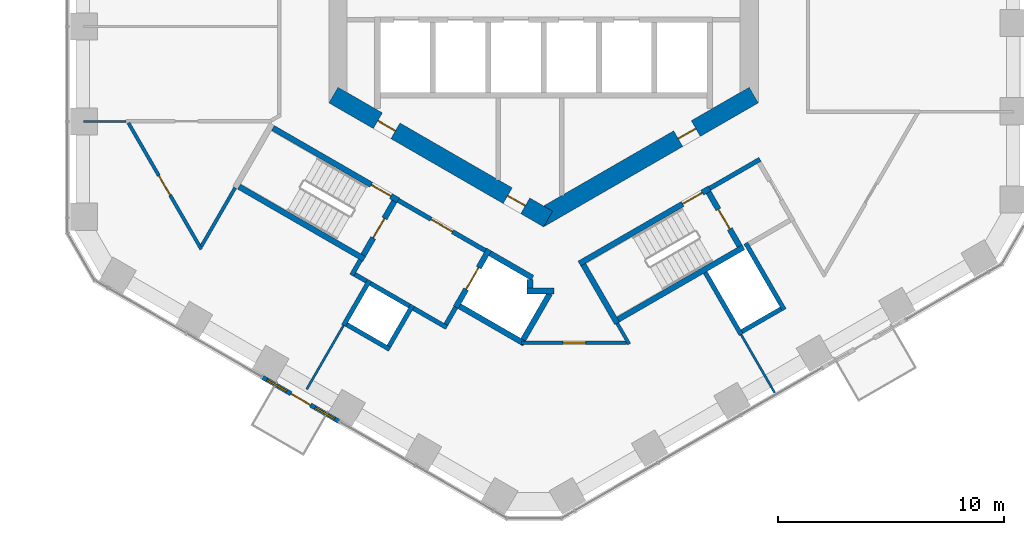
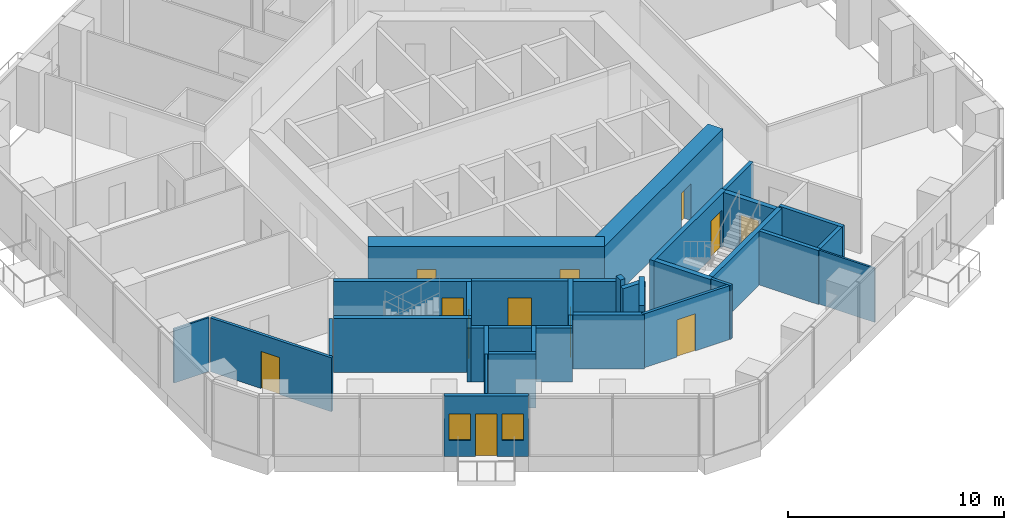
# One storey, part 13 of 20: 36 walls, 12 doors, 2 windows, 14 openings.
"""IFC4 building model written with IfcOpenShell, lengths in metres."""

from ifc_helpers import new_model, si_unit, direction, frame, frame_2d, origin, place, context, subcontext, project, spatial, rectangle, extrude, material, layer, layer_set, type_object, element, fill, save


model = new_model("IFC4")

# Units and contexts
model_context = context("Model", 3, precision=1e-05, world=origin(), true_north=direction((0.0, 1.0)))
body_context = subcontext(model_context, "Body", "Model", "MODEL_VIEW")
ifc_project = project(units=[si_unit("LENGTHUNIT", "METRE"), si_unit("AREAUNIT", "SQUARE_METRE"), si_unit("VOLUMEUNIT", "CUBIC_METRE"), si_unit("PLANEANGLEUNIT", "RADIAN"), si_unit("MASSUNIT", "GRAM", prefix="KILO")], contexts=[model_context])

# Site, building, storey
site_placement = place(None, origin())
site = spatial("IfcSite", under=ifc_project, at=site_placement, CompositionType="ELEMENT")
building_placement = place(site_placement, origin())
building = spatial("IfcBuilding", under=site, at=building_placement, Name="Ayvan Gate Tower", CompositionType="ELEMENT")
storey_placement = place(building_placement, frame((0.0, 0.0, 49.300048828125)))
storey = spatial("IfcBuildingStorey", under=building, at=storey_placement, Name="L12", CompositionType="ELEMENT", Elevation=49.300048828125)

# Wall, openings, door, windows
ifc_material_1 = material(Name="Insulated metal panel wall")
ifc_layer_1 = layer(ifc_material_1, 0.199951171875)
ifc_layer_set_1 = layer_set([ifc_layer_1], Name="Insulated metal panel wall")
wall_type_1 = type_object("IfcWallType", Name="Balcony door wall 200", PredefinedType="SOLIDWALL", material=ifc_layer_set_1)
wall_1_placement = place(storey_placement, frame((-12.431396484375, -17.631103515625, 0.0), z_axis=(0.0, 0.0, 1.0), x_axis=(0.86603551244, -0.499982490886, 0.0)))
wall_1 = element("IfcWall", 1, at=wall_1_placement, inside=storey, type_object=wall_type_1, Name="EW:L12:4:2", PredefinedType="SOLIDWALL", context=body_context, shape_type="SweptSolid", body=[
    extrude(rectangle(XDim=3.901123046875, YDim=0.199951171875, at=frame_2d((1.95068359375, 0.0))), origin(), (0.0, 0.0, 1.0), 3.39990234375),
])
opening_1_placement = place(wall_1_placement, frame((1.450439453125, 0.0, 0.0)))
opening_1 = element("IfcOpeningElement", 2, at=opening_1_placement, cuts=wall_1, Name="Opening L12-D94", PredefinedType="OPENING", context=body_context, shape_type="SweptSolid", body=[
    extrude(rectangle(XDim=1.0, YDim=2.39990234375, at=frame_2d((0.5, 1.199951171875))), frame((0.0, 0.10986328125, 0.0), z_axis=(0.0, -1.0, 0.0), x_axis=(1.0, 0.0, 0.0)), (0.0, 0.0, 1.0), 0.219970703125),
])
opening_2_placement = place(wall_1_placement, frame((0.225341796875, 0.0, 0.89990234375)))
opening_2 = element("IfcOpeningElement", 3, at=opening_2_placement, cuts=wall_1, Name="Opening W-B1", PredefinedType="OPENING", context=body_context, shape_type="SweptSolid", body=[
    extrude(rectangle(XDim=1.0, YDim=1.5, at=frame_2d((0.5, 0.75))), frame((0.0, 0.10986328125, 0.0), z_axis=(0.0, -1.0, 0.0), x_axis=(1.0, 0.0, 0.0)), (0.0, 0.0, 1.0), 0.219970703125),
])
opening_3_placement = place(wall_1_placement, frame((2.67578125, 0.0, 0.89990234375)))
opening_3 = element("IfcOpeningElement", 4, at=opening_3_placement, cuts=wall_1, Name="Opening W-B1", PredefinedType="OPENING", context=body_context, shape_type="SweptSolid", body=[
    extrude(rectangle(XDim=1.0, YDim=1.5, at=frame_2d((0.5, 0.75))), frame((0.0, 0.10986328125, 0.0), z_axis=(0.0, -1.0, 0.0), x_axis=(1.0, 0.0, 0.0)), (0.0, 0.0, 1.0), 0.219970703125),
])
ifc_material_2 = material(Name="Bronze anodised aluminium and clear glass", Category="aluminium")
door_type_1 = type_object("IfcDoorType", Name="Balcony door D-B", OperationType="SINGLE_SWING_RIGHT", PredefinedType="DOOR", material=ifc_material_2)
door_1_placement = place(opening_1_placement, origin())
door_1 = element("IfcDoor", 5, at=door_1_placement, inside=storey, type_object=door_type_1, Name="Balcony door BAL-L12-4", OperationType="SINGLE_SWING_RIGHT", OverallHeight=2.39990234375, OverallWidth=1.0, PredefinedType="DOOR", context=body_context, shape_type="SweptSolid", body=[
    extrude(rectangle(XDim=1.0, YDim=2.39990234375, at=frame_2d((0.5, 1.199951171875))), frame((0.0, 0.02490234375, 0.0), z_axis=(0.0, -1.0, 0.0), x_axis=(1.0, 0.0, 0.0)), (0.0, 0.0, 1.0), 0.050048828125),
])
fill(opening_1, door_1)
window_type = type_object("IfcWindowType", Name="Balcony side light W-B Z1", PartitioningType="SINGLE_PANEL", PredefinedType="WINDOW", material=ifc_material_2)
window_1_placement = place(opening_2_placement, origin())
window_1 = element("IfcWindow", 6, at=window_1_placement, inside=storey, type_object=window_type, Name="Balcony side light BAL-L12-4.1", OverallHeight=1.5, OverallWidth=1.0, PartitioningType="SINGLE_PANEL", PredefinedType="WINDOW", context=body_context, shape_type="SweptSolid", body=[
    extrude(rectangle(XDim=1.0, YDim=1.5, at=frame_2d((0.5, 0.75))), frame((0.0, 0.030029296875, 0.0), z_axis=(0.0, -1.0, 0.0), x_axis=(1.0, 0.0, 0.0)), (0.0, 0.0, 1.0), 0.06005859375),
])
fill(opening_2, window_1)
window_2_placement = place(opening_3_placement, origin())
window_2 = element("IfcWindow", 7, at=window_2_placement, inside=storey, type_object=window_type, Name="Balcony side light BAL-L12-4.2", OverallHeight=1.5, OverallWidth=1.0, PartitioningType="SINGLE_PANEL", PredefinedType="WINDOW", context=body_context, shape_type="SweptSolid", body=[
    extrude(rectangle(XDim=1.0, YDim=1.5, at=frame_2d((0.5, 0.75))), frame((0.0, 0.030029296875, 0.0), z_axis=(0.0, -1.0, 0.0), x_axis=(1.0, 0.0, 0.0)), (0.0, 0.0, 1.0), 0.06005859375),
])
fill(opening_3, window_2)

# Wall, openings, doors
ifc_material_3 = material(Name="Concrete C70/85", Category="concrete")
ifc_layer_2 = layer(ifc_material_3, 0.800048828125)
ifc_layer_set_2 = layer_set([ifc_layer_2], Name="Concrete C70/85")
wall_type_2 = type_object("IfcWallType", Name="Core wall 800 C70/85", PredefinedType="SHEAR", material=ifc_layer_set_2)
wall_2_placement = place(storey_placement, frame((-9.300048828125, -5.138427734375, 0.0), z_axis=(0.0, 0.0, 1.0), x_axis=(0.866023993627, -0.500002442456, 0.0)))
wall_2 = element("IfcWall", 8, at=wall_2_placement, inside=storey, type_object=wall_type_2, Name="CORE-L12-4", PredefinedType="SHEAR", context=body_context, shape_type="SweptSolid", body=[
    extrude(rectangle(XDim=10.9697265625, YDim=0.800048828125, at=frame_2d((5.48486328125, 0.0))), origin(), (0.0, 0.0, 1.0), 3.39990234375),
])
opening_4_placement = place(wall_2_placement, frame((2.268310546875, 0.0, 0.0)))
opening_4 = element("IfcOpeningElement", 9, at=opening_4_placement, cuts=wall_2, Name="Opening L12-D100", PredefinedType="OPENING", context=body_context, shape_type="SweptSolid", body=[
    extrude(rectangle(XDim=0.89990234375, YDim=2.10009765625, at=frame_2d((0.449951171875, 1.050048828125))), frame((0.0, 0.409912109375, 0.0), z_axis=(0.0, -1.0, 0.0), x_axis=(1.0, 0.0, 0.0)), (0.0, 0.0, 1.0), 0.820068359375),
])
opening_5_placement = place(wall_2_placement, frame((8.902587890625, 0.0, 0.0)))
opening_5 = element("IfcOpeningElement", 10, at=opening_5_placement, cuts=wall_2, Name="Opening L12-D101", PredefinedType="OPENING", context=body_context, shape_type="SweptSolid", body=[
    extrude(rectangle(XDim=0.89990234375, YDim=2.10009765625, at=frame_2d((0.449951171875, 1.050048828125))), frame((0.0, 0.409912109375, 0.0), z_axis=(0.0, -1.0, 0.0), x_axis=(1.0, 0.0, 0.0)), (0.0, 0.0, 1.0), 0.820068359375),
])
ifc_material_4 = material(Name="Timber door leaf", Category="wood")
door_type_2 = type_object("IfcDoorType", Name="DT-900", OperationType="NOTDEFINED", PredefinedType="DOOR", material=ifc_material_4)
door_2_placement = place(opening_4_placement, origin())
door_2 = element("IfcDoor", 11, at=door_2_placement, inside=storey, type_object=door_type_2, Name="CD-L12-100", OperationType="SINGLE_SWING_RIGHT", OverallHeight=2.10009765625, OverallWidth=0.89990234375, PredefinedType="DOOR", context=body_context, shape_type="SweptSolid", body=[
    extrude(rectangle(XDim=0.89990234375, YDim=2.10009765625, at=frame_2d((0.449951171875, 1.050048828125))), frame((0.0, 0.02490234375, 0.0), z_axis=(0.0, -1.0, 0.0), x_axis=(1.0, 0.0, 0.0)), (0.0, 0.0, 1.0), 0.050048828125),
])
fill(opening_4, door_2)
door_3_placement = place(opening_5_placement, origin())
door_3 = element("IfcDoor", 12, at=door_3_placement, inside=storey, type_object=door_type_2, Name="CD-L12-101", OperationType="SINGLE_SWING_LEFT", OverallHeight=2.10009765625, OverallWidth=0.89990234375, PredefinedType="DOOR", context=body_context, shape_type="SweptSolid", body=[
    extrude(rectangle(XDim=0.89990234375, YDim=2.10009765625, at=frame_2d((0.449951171875, 1.050048828125))), frame((0.0, 0.02490234375, 0.0), z_axis=(0.0, -1.0, 0.0), x_axis=(1.0, 0.0, 0.0)), (0.0, 0.0, 1.0), 0.050048828125),
])
fill(opening_5, door_3)

# Wall, opening, door
wall_3_placement = place(storey_placement, frame((-0.199951171875, -10.623291015625, 0.0), z_axis=(0.0, 0.0, 1.0), x_axis=(0.866023993627, 0.500002442456, 0.0)))
wall_3 = element("IfcWall", 13, at=wall_3_placement, inside=storey, type_object=wall_type_2, Name="CORE-L12-5", PredefinedType="SHEAR", context=body_context, shape_type="SweptSolid", body=[
    extrude(rectangle(XDim=10.9697265625, YDim=0.800048828125, at=frame_2d((5.48486328125, 0.0))), origin(), (0.0, 0.0, 1.0), 3.39990234375),
])
opening_6_placement = place(wall_3_placement, frame((7.108154296875, 0.0, 0.0)))
opening_6 = element("IfcOpeningElement", 14, at=opening_6_placement, cuts=wall_3, Name="Opening L12-D102", PredefinedType="OPENING", context=body_context, shape_type="SweptSolid", body=[
    extrude(rectangle(XDim=0.89990234375, YDim=2.10009765625, at=frame_2d((0.449951171875, 1.050048828125))), frame((0.0, 0.409912109375, 0.0), z_axis=(0.0, -1.0, 0.0), x_axis=(1.0, 0.0, 0.0)), (0.0, 0.0, 1.0), 0.820068359375),
])
door_4_placement = place(opening_6_placement, origin())
door_4 = element("IfcDoor", 15, at=door_4_placement, inside=storey, type_object=door_type_2, Name="CD-L12-102", OperationType="SINGLE_SWING_RIGHT", OverallHeight=2.10009765625, OverallWidth=0.89990234375, PredefinedType="DOOR", context=body_context, shape_type="SweptSolid", body=[
    extrude(rectangle(XDim=0.89990234375, YDim=2.10009765625, at=frame_2d((0.449951171875, 1.050048828125))), frame((0.0, 0.02490234375, 0.0), z_axis=(0.0, -1.0, 0.0), x_axis=(1.0, 0.0, 0.0)), (0.0, 0.0, 1.0), 0.050048828125),
])
fill(opening_6, door_4)

ifc_material_5 = material(Name="Plasterboard on steel stud", Category="steel")
ifc_layer_3 = layer(ifc_material_5, 0.14990234375)
ifc_layer_set_3 = layer_set([ifc_layer_3], Name="Plasterboard on steel stud")
wall_type_3 = type_object("IfcWallType", Name="WT-CORR-150", PredefinedType="PARTITIONING", material=ifc_layer_set_3)
wall_4_placement = place(storey_placement, frame((-15.14453125, -11.9609375, 0.0), z_axis=(0.0, 0.0, 1.0), x_axis=(-0.500014864668, 0.866016821494, 0.0)))
wall_4 = element("IfcWall", 16, at=wall_4_placement, inside=storey, type_object=wall_type_3, Name="IW-L12-005", PredefinedType="PARTITIONING", context=body_context, shape_type="SweptSolid", body=[
    extrude(rectangle(XDim=6.456298828125, YDim=0.14990234375, at=frame_2d((3.22802734375, 0.0))), origin(), (0.0, 0.0, 1.0), 3.050048828125),
])
opening_7_placement = place(wall_4_placement, frame((2.765625, 0.0, 0.0)))
opening_7 = element("IfcOpeningElement", 17, at=opening_7_placement, cuts=wall_4, Name="Opening L12-D25", PredefinedType="OPENING", context=body_context, shape_type="SweptSolid", body=[
    extrude(rectangle(XDim=1.0, YDim=2.10009765625, at=frame_2d((0.5, 1.050048828125))), frame((0.0, 0.0849609375, 0.0), z_axis=(0.0, -1.0, 0.0), x_axis=(1.0, 0.0, 0.0)), (0.0, 0.0, 1.0), 0.169921875),
])
door_type_3 = type_object("IfcDoorType", Name="DT-1000", OperationType="NOTDEFINED", PredefinedType="DOOR", material=ifc_material_4)
door_5_placement = place(opening_7_placement, origin())
door_5 = element("IfcDoor", 18, at=door_5_placement, inside=storey, type_object=door_type_3, Name="ID-L12-025", OperationType="SINGLE_SWING_LEFT", OverallHeight=2.10009765625, OverallWidth=1.0, PredefinedType="DOOR", context=body_context, shape_type="SweptSolid", body=[
    extrude(rectangle(XDim=1.0, YDim=2.10009765625, at=frame_2d((0.5, 1.050048828125))), frame((0.0, 0.02490234375, 0.0), z_axis=(0.0, -1.0, 0.0), x_axis=(1.0, 0.0, 0.0)), (0.0, 0.0, 1.0), 0.050048828125),
])
fill(opening_7, door_5)

# Walls
wall_5_placement = place(storey_placement, frame((-13.647705078125, -9.23876953125, 0.0), z_axis=(0.0, 0.0, 1.0), x_axis=(-0.500042502709, -0.866000863443, 0.0)))
element("IfcWall", 19, at=wall_5_placement, inside=storey, type_object=wall_type_3, Name="IW-L12-011", PredefinedType="PARTITIONING", context=body_context, shape_type="SweptSolid", body=[
    extrude(rectangle(XDim=2.993408203125, YDim=0.14990234375, at=frame_2d((1.49658203125, 0.0))), origin(), (0.0, 0.0, 1.0), 3.050048828125),
])
wall_6_placement = place(storey_placement, frame((3.255615234375, -15.23876953125, 0.0), z_axis=(0.0, 0.0, 1.0), x_axis=(0.500059846627, -0.865990848561, 0.0)))
element("IfcWall", 20, at=wall_6_placement, inside=storey, type_object=wall_type_3, Name="IW-L12-077", PredefinedType="PARTITIONING", context=body_context, shape_type="SweptSolid", body=[
    extrude(rectangle(XDim=1.064697265625, YDim=0.14990234375, at=frame_2d((0.5322265625, 0.0))), origin(), (0.0, 0.0, 1.0), 3.050048828125),
])

# Wall, opening, door
wall_7_placement = place(storey_placement, frame((3.675537109375, -16.095947265625, 0.0), z_axis=(0.0, 0.0, 1.0), x_axis=(-1.0, 0.0, 0.0)))
wall_7 = element("IfcWall", 21, at=wall_7_placement, inside=storey, type_object=wall_type_3, Name="IW-L12-079", PredefinedType="PARTITIONING", context=body_context, shape_type="SweptSolid", body=[
    extrude(rectangle(XDim=4.65478515625, YDim=0.14990234375, at=frame_2d((2.327392578125, 0.0))), origin(), (0.0, 0.0, 1.0), 3.050048828125),
])
opening_8_placement = place(wall_7_placement, frame((1.81201171875, 0.0, 0.0)))
opening_8 = element("IfcOpeningElement", 22, at=opening_8_placement, cuts=wall_7, Name="Opening L12-D26", PredefinedType="OPENING", context=body_context, shape_type="SweptSolid", body=[
    extrude(rectangle(XDim=1.0, YDim=2.10009765625, at=frame_2d((0.5, 1.050048828125))), frame((0.0, 0.0849609375, 0.0), z_axis=(0.0, -1.0, 0.0), x_axis=(1.0, 0.0, 0.0)), (0.0, 0.0, 1.0), 0.169921875),
])
door_6_placement = place(opening_8_placement, origin())
door_6 = element("IfcDoor", 23, at=door_6_placement, inside=storey, type_object=door_type_3, Name="ID-L12-026", OperationType="SINGLE_SWING_RIGHT", OverallHeight=2.10009765625, OverallWidth=1.0, PredefinedType="DOOR", context=body_context, shape_type="SweptSolid", body=[
    extrude(rectangle(XDim=1.0, YDim=2.10009765625, at=frame_2d((0.5, 1.050048828125))), frame((0.0, 0.02490234375, 0.0), z_axis=(0.0, -1.0, 0.0), x_axis=(1.0, 0.0, 0.0)), (0.0, 0.0, 1.0), 0.050048828125),
])
fill(opening_8, door_6)

# Walls
ifc_layer_4 = layer(ifc_material_5, 0.10009765625)
ifc_layer_set_4 = layer_set([ifc_layer_4], Name="Plasterboard on steel stud")
wall_type_4 = type_object("IfcWallType", Name="WT-PART-100", PredefinedType="PARTITIONING", material=ifc_layer_set_4)
wall_8_placement = place(storey_placement, frame((-18.485107421875, -6.3046875, 0.0), z_axis=(0.0, 0.0, 1.0), x_axis=(-1.0, 0.0, 0.0)))
element("IfcWall", 24, at=wall_8_placement, inside=storey, type_object=wall_type_4, Name="IW-L12-003", PredefinedType="PARTITIONING", context=body_context, shape_type="SweptSolid", body=[
    extrude(rectangle(XDim=1.884033203125, YDim=0.10009765625, at=frame_2d((0.94189453125, 0.0))), origin(), (0.0, 0.0, 1.0), 3.050048828125),
])
wall_9_placement = place(storey_placement, frame((-8.85009765625, -15.32861328125, 0.0), z_axis=(0.0, 0.0, 1.0), x_axis=(-0.499983540639, -0.866034906392, 0.0)))
element("IfcWall", 25, at=wall_9_placement, inside=storey, type_object=wall_type_4, Name="IW-L12-022", PredefinedType="PARTITIONING", context=body_context, shape_type="SweptSolid", body=[
    extrude(rectangle(XDim=3.2646484375, YDim=0.10009765625, at=frame_2d((1.63232421875, 0.0))), origin(), (0.0, 0.0, 1.0), 3.050048828125),
])
wall_10_placement = place(storey_placement, frame((8.739990234375, -15.73828125, 0.0), z_axis=(0.0, 0.0, 1.0), x_axis=(0.500052637874, -0.865995011161, 0.0)))
element("IfcWall", 26, at=wall_10_placement, inside=storey, type_object=wall_type_4, Name="IW-L12-095", PredefinedType="PARTITIONING", context=body_context, shape_type="SweptSolid", body=[
    extrude(rectangle(XDim=2.965576171875, YDim=0.10009765625, at=frame_2d((1.48291015625, 0.0))), origin(), (0.0, 0.0, 1.0), 3.050048828125),
])
ifc_layer_5 = layer(ifc_material_5, 0.199951171875)
ifc_layer_set_5 = layer_set([ifc_layer_5], Name="Plasterboard on steel stud")
wall_type_5 = type_object("IfcWallType", Name="WT-PLUMB-200", PredefinedType="PLUMBINGWALL", material=ifc_layer_set_5)
wall_11_placement = place(storey_placement, frame((-8.85009765625, -15.32861328125, 0.0), z_axis=(0.0, 0.0, 1.0), x_axis=(0.500077740698, 0.865980515519, 0.0)))
element("IfcWall", 27, at=wall_11_placement, inside=storey, type_object=wall_type_5, Name="IW-L12-021", PredefinedType="PLUMBINGWALL", context=body_context, shape_type="SweptSolid", body=[
    extrude(rectangle(XDim=2.300048828125, YDim=0.199951171875, at=frame_2d((1.14990234375, 0.0))), origin(), (0.0, 0.0, 1.0), 3.050048828125),
])
wall_12_placement = place(storey_placement, frame((-6.80810546875, -16.39208984375, 0.0), z_axis=(0.0, 0.0, 1.0), x_axis=(-0.866008176907, 0.50002983664, 0.0)))
element("IfcWall", 28, at=wall_12_placement, inside=storey, type_object=wall_type_5, Name="IW-L12-034", PredefinedType="PLUMBINGWALL", context=body_context, shape_type="SweptSolid", body=[
    extrude(rectangle(XDim=2.199951171875, YDim=0.199951171875, at=frame_2d((1.10009765625, 0.0))), origin(), (0.0, 0.0, 1.0), 3.050048828125),
])
wall_13_placement = place(storey_placement, frame((-5.794677734375, -14.436767578125, 0.0), z_axis=(0.0, 0.0, 1.0), x_axis=(-0.500027713859, -0.866009402589, 0.0)))
element("IfcWall", 29, at=wall_13_placement, inside=storey, type_object=wall_type_5, Name="IW-L12-037", PredefinedType="PLUMBINGWALL", context=body_context, shape_type="SweptSolid", body=[
    extrude(rectangle(XDim=2.10009765625, YDim=0.199951171875, at=frame_2d((1.050048828125, 0.0))), origin(), (0.0, 0.0, 1.0), 3.050048828125),
])
wall_14_placement = place(storey_placement, frame((-5.931396484375, -14.473388671875, 0.0), z_axis=(0.0, 0.0, 1.0), x_axis=(-0.866041268327, 0.499972520799, 0.0)))
element("IfcWall", 30, at=wall_14_placement, inside=storey, type_object=wall_type_5, Name="IW-L12-038", PredefinedType="PLUMBINGWALL", context=body_context, shape_type="SweptSolid", body=[
    extrude(rectangle(XDim=2.0, YDim=0.199951171875, at=frame_2d((1.0, 0.0))), origin(), (0.0, 0.0, 1.0), 3.050048828125),
])
wall_15_placement = place(storey_placement, frame((8.740234375, -15.738525390625, 0.0), z_axis=(0.0, 0.0, 1.0), x_axis=(-0.500017526161, 0.866015284814, 0.0)))
element("IfcWall", 31, at=wall_15_placement, inside=storey, type_object=wall_type_5, Name="IW-L12-096", PredefinedType="PLUMBINGWALL", context=body_context, shape_type="SweptSolid", body=[
    extrude(rectangle(XDim=3.17529296875, YDim=0.199951171875, at=frame_2d((1.587646484375, 0.0))), origin(), (0.0, 0.0, 1.0), 3.050048828125),
])
wall_16_placement = place(storey_placement, frame((8.9453125, -11.694091796875, 0.0), z_axis=(0.0, 0.0, 1.0), x_axis=(0.500062241894, -0.865989465428, 0.0)))
element("IfcWall", 32, at=wall_16_placement, inside=storey, type_object=wall_type_5, Name="IW-L12-098", PredefinedType="PLUMBINGWALL", context=body_context, shape_type="SweptSolid", body=[
    extrude(rectangle(XDim=3.39990234375, YDim=0.199951171875, at=frame_2d((1.699951171875, 0.0))), origin(), (0.0, 0.0, 1.0), 3.050048828125),
])
wall_17_placement = place(storey_placement, frame((10.5087890625, -14.601806640625, 0.0), z_axis=(0.0, 0.0, 1.0), x_axis=(-0.866010750942, -0.50002537861, 0.0)))
element("IfcWall", 33, at=wall_17_placement, inside=storey, type_object=wall_type_5, Name="IW-L12-101", PredefinedType="PLUMBINGWALL", context=body_context, shape_type="SweptSolid", body=[
    extrude(rectangle(XDim=2.0, YDim=0.199951171875, at=frame_2d((1.0, 0.0))), origin(), (0.0, 0.0, 1.0), 3.050048828125),
])
ifc_layer_6 = layer(ifc_material_5, 0.199951171875)
ifc_layer_set_6 = layer_set([ifc_layer_6], Name="Plasterboard on steel stud")
wall_type_6 = type_object("IfcWallType", Name="WT-RATED-200", PredefinedType="PARTITIONING", material=ifc_layer_set_6)
wall_18_placement = place(storey_placement, frame((-8.492919921875, -13.110107421875, 0.0), z_axis=(0.0, 0.0, 1.0), x_axis=(0.500067724834, 0.865986299303, 0.0)))
element("IfcWall", 34, at=wall_18_placement, inside=storey, type_object=wall_type_6, Name="IW-L12-024", PredefinedType="PARTITIONING", context=body_context, shape_type="SweptSolid", body=[
    extrude(rectangle(XDim=0.775390625, YDim=0.199951171875, at=frame_2d((0.3876953125, 0.0))), origin(), (0.0, 0.0, 1.0), 3.050048828125),
])
wall_19_placement = place(storey_placement, frame((-7.83642578125, -13.373291015625, 0.0), z_axis=(0.0, 0.0, 1.0), x_axis=(-0.866232998003, 0.499640263761, 0.0)))
element("IfcWall", 35, at=wall_19_placement, inside=storey, type_object=wall_type_6, Name="IW-L12-026", PredefinedType="PARTITIONING", context=body_context, shape_type="SweptSolid", body=[
    extrude(rectangle(XDim=0.60009765625, YDim=0.199951171875, at=frame_2d((0.300048828125, 0.0))), origin(), (0.0, 0.0, 1.0), 3.050048828125),
])

# Wall, opening, door
wall_20_placement = place(storey_placement, frame((-6.4345703125, -9.794921875, 0.0), z_axis=(0.0, 0.0, 1.0), x_axis=(0.866012907634, -0.500021643343, 0.0)))
wall_20 = element("IfcWall", 36, at=wall_20_placement, inside=storey, type_object=wall_type_6, Name="IW-L12-036", PredefinedType="PARTITIONING", context=body_context, shape_type="SweptSolid", body=[
    extrude(rectangle(XDim=4.449951171875, YDim=0.199951171875, at=frame_2d((2.22509765625, 0.0))), origin(), (0.0, 0.0, 1.0), 3.050048828125),
])
opening_9_placement = place(wall_20_placement, frame((1.675048828125, 0.0, 0.0)))
opening_9 = element("IfcOpeningElement", 37, at=opening_9_placement, cuts=wall_20, Name="Opening L12-D12", PredefinedType="OPENING", context=body_context, shape_type="SweptSolid", body=[
    extrude(rectangle(XDim=1.10009765625, YDim=2.10009765625, at=frame_2d((0.550048828125, 1.050048828125))), frame((0.0, 0.10986328125, 0.0), z_axis=(0.0, -1.0, 0.0), x_axis=(1.0, 0.0, 0.0)), (0.0, 0.0, 1.0), 0.219970703125),
])
door_type_4 = type_object("IfcDoorType", Name="DT-1100", OperationType="NOTDEFINED", PredefinedType="DOOR", material=ifc_material_4)
door_7_placement = place(opening_9_placement, origin())
door_7 = element("IfcDoor", 38, at=door_7_placement, inside=storey, type_object=door_type_4, Name="ID-L12-012", OperationType="SINGLE_SWING_RIGHT", OverallHeight=2.10009765625, OverallWidth=1.10009765625, PredefinedType="DOOR", context=body_context, shape_type="SweptSolid", body=[
    extrude(rectangle(XDim=1.10009765625, YDim=2.10009765625, at=frame_2d((0.550048828125, 1.050048828125))), frame((0.0, 0.02490234375, 0.0), z_axis=(0.0, -1.0, 0.0), x_axis=(1.0, 0.0, 0.0)), (0.0, 0.0, 1.0), 0.050048828125),
])
fill(opening_9, door_7)

# Walls
wall_21_placement = place(storey_placement, frame((-4.285888671875, -15.42333984375, 0.0), z_axis=(0.0, 0.0, 1.0), x_axis=(-0.866025371046, 0.500000056704, 0.0)))
element("IfcWall", 39, at=wall_21_placement, inside=storey, type_object=wall_type_6, Name="IW-L12-045", PredefinedType="PARTITIONING", context=body_context, shape_type="SweptSolid", body=[
    extrude(rectangle(XDim=1.7001953125, YDim=0.199951171875, at=frame_2d((0.85009765625, 0.0))), origin(), (0.0, 0.0, 1.0), 3.050048828125),
])
wall_22_placement = place(storey_placement, frame((-3.885009765625, -14.52880859375, 0.0), z_axis=(0.0, 0.0, 1.0), x_axis=(-0.499859285417, -0.866106630146, 0.0)))
element("IfcWall", 40, at=wall_22_placement, inside=storey, type_object=wall_type_6, Name="IW-L12-046", PredefinedType="PARTITIONING", context=body_context, shape_type="SweptSolid", body=[
    extrude(rectangle(XDim=0.875244140625, YDim=0.199951171875, at=frame_2d((0.4375, 0.0))), origin(), (0.0, 0.0, 1.0), 3.050048828125),
])
wall_23_placement = place(storey_placement, frame((7.343994140625, -9.27001953125, 0.0), z_axis=(0.0, 0.0, 1.0), x_axis=(0.866005588531, 0.500034319456, 0.0)))
element("IfcWall", 41, at=wall_23_placement, inside=storey, type_object=wall_type_6, Name="IW-L12-088", PredefinedType="PARTITIONING", context=body_context, shape_type="SweptSolid", body=[
    extrude(rectangle(XDim=2.574951171875, YDim=0.199951171875, at=frame_2d((1.28759765625, 0.0))), origin(), (0.0, 0.0, 1.0), 3.050048828125),
])

# Wall, opening, door
ifc_material_6 = material(Name="Concrete C50/60", Category="concrete")
ifc_layer_7 = layer(ifc_material_6, 0.25)
ifc_layer_set_7 = layer_set([ifc_layer_7], Name="Concrete C50/60")
wall_type_7 = type_object("IfcWallType", Name="WT-RC-250", PredefinedType="SHEAR", material=ifc_layer_set_7)
wall_24_placement = place(storey_placement, frame((-11.97705078125, -6.594970703125, 0.0), z_axis=(0.0, 0.0, 1.0), x_axis=(0.866025499775, -0.499999833739, 0.0)))
wall_24 = element("IfcWall", 42, at=wall_24_placement, inside=storey, type_object=wall_type_7, Name="IW-L12-013", PredefinedType="SHEAR", context=body_context, shape_type="SweptSolid", body=[
    extrude(rectangle(XDim=6.39990234375, YDim=0.25, at=frame_2d((3.199951171875, 0.0))), origin(), (0.0, 0.0, 1.0), 3.050048828125),
])
opening_10_placement = place(wall_24_placement, frame((5.02490234375, 0.0, 0.0)))
opening_10 = element("IfcOpeningElement", 43, at=opening_10_placement, cuts=wall_24, Name="Opening L12-D10", PredefinedType="OPENING", context=body_context, shape_type="SweptSolid", body=[
    extrude(rectangle(XDim=1.0, YDim=2.10009765625, at=frame_2d((0.5, 1.050048828125))), frame((0.0, 0.135009765625, 0.0), z_axis=(0.0, -1.0, 0.0), x_axis=(1.0, 0.0, 0.0)), (0.0, 0.0, 1.0), 0.27001953125),
])
door_8_placement = place(opening_10_placement, origin())
door_8 = element("IfcDoor", 44, at=door_8_placement, inside=storey, type_object=door_type_3, Name="ID-L12-010", OperationType="SINGLE_SWING_RIGHT", OverallHeight=2.10009765625, OverallWidth=1.0, PredefinedType="DOOR", context=body_context, shape_type="SweptSolid", body=[
    extrude(rectangle(XDim=1.0, YDim=2.10009765625, at=frame_2d((0.5, 1.050048828125))), frame((0.0, 0.02490234375, 0.0), z_axis=(0.0, -1.0, 0.0), x_axis=(1.0, 0.0, 0.0)), (0.0, 0.0, 1.0), 0.050048828125),
])
fill(opening_10, door_8)

# Wall
wall_25_placement = place(storey_placement, frame((-7.9345703125, -12.39306640625, 0.0), z_axis=(0.0, 0.0, 1.0), x_axis=(-0.866025499775, 0.499999833739, 0.0)))
element("IfcWall", 45, at=wall_25_placement, inside=storey, type_object=wall_type_7, Name="IW-L12-025", PredefinedType="SHEAR", context=body_context, shape_type="SweptSolid", body=[
    extrude(rectangle(XDim=6.39990234375, YDim=0.25, at=frame_2d((3.199951171875, 0.0))), origin(), (0.0, 0.0, 1.0), 3.050048828125),
])

# Wall, opening, door
wall_26_placement = place(storey_placement, frame((-6.605224609375, -9.8408203125, 0.0), z_axis=(0.0, 0.0, 1.0), x_axis=(-0.499996545922, -0.866027397988, 0.0)))
wall_26 = element("IfcWall", 46, at=wall_26_placement, inside=storey, type_object=wall_type_7, Name="IW-L12-035", PredefinedType="SHEAR", context=body_context, shape_type="SweptSolid", body=[
    extrude(rectangle(XDim=2.75, YDim=0.25, at=frame_2d((1.375, 0.0))), origin(), (0.0, 0.0, 1.0), 3.050048828125),
])
opening_11_placement = place(wall_26_placement, frame((0.875, 0.0, 0.0)))
opening_11 = element("IfcOpeningElement", 47, at=opening_11_placement, cuts=wall_26, Name="Opening L12-D11", PredefinedType="OPENING", context=body_context, shape_type="SweptSolid", body=[
    extrude(rectangle(XDim=1.0, YDim=2.10009765625, at=frame_2d((0.5, 1.050048828125))), frame((0.0, 0.135009765625, 0.0), z_axis=(0.0, -1.0, 0.0), x_axis=(1.0, 0.0, 0.0)), (0.0, 0.0, 1.0), 0.27001953125),
])
door_9_placement = place(opening_11_placement, origin())
door_9 = element("IfcDoor", 48, at=door_9_placement, inside=storey, type_object=door_type_3, Name="ID-L12-011", OperationType="SINGLE_SWING_LEFT", OverallHeight=2.10009765625, OverallWidth=1.0, PredefinedType="DOOR", context=body_context, shape_type="SweptSolid", body=[
    extrude(rectangle(XDim=1.0, YDim=2.10009765625, at=frame_2d((0.5, 1.050048828125))), frame((0.0, 0.02490234375, 0.0), z_axis=(0.0, -1.0, 0.0), x_axis=(1.0, 0.0, 0.0)), (0.0, 0.0, 1.0), 0.050048828125),
])
fill(opening_11, door_9)

wall_27_placement = place(storey_placement, frame((-2.409912109375, -11.97412109375, 0.0), z_axis=(0.0, 0.0, 1.0), x_axis=(-0.500001826776, -0.866024349092, 0.0)))
wall_27 = element("IfcWall", 49, at=wall_27_placement, inside=storey, type_object=wall_type_7, Name="IW-L12-051", PredefinedType="SHEAR", context=body_context, shape_type="SweptSolid", body=[
    extrude(rectangle(XDim=2.9501953125, YDim=0.25, at=frame_2d((1.47509765625, 0.0))), origin(), (0.0, 0.0, 1.0), 3.050048828125),
])
opening_12_placement = place(wall_27_placement, frame((0.925048828125, 0.0, 0.0)))
opening_12 = element("IfcOpeningElement", 50, at=opening_12_placement, cuts=wall_27, Name="Opening L12-LD-FF2", PredefinedType="OPENING", context=body_context, shape_type="SweptSolid", body=[
    extrude(rectangle(XDim=1.10009765625, YDim=2.10009765625, at=frame_2d((0.550048828125, 1.050048828125))), frame((0.0, 0.135009765625, 0.0), z_axis=(0.0, -1.0, 0.0), x_axis=(1.0, 0.0, 0.0)), (0.0, 0.0, 1.0), 0.27001953125),
])
ifc_material_7 = material(Name="Stainless steel landing door", Category="steel")
door_type_5 = type_object("IfcDoorType", Name="DT-LANDING-1100", OperationType="SLIDING_TO_LEFT", PredefinedType="DOOR", material=ifc_material_7)
door_10_placement = place(opening_12_placement, origin())
door_10 = element("IfcDoor", 51, at=door_10_placement, inside=storey, type_object=door_type_5, Name="ID-L12-013", OperationType="SLIDING_TO_LEFT", OverallHeight=2.10009765625, OverallWidth=1.10009765625, PredefinedType="DOOR", context=body_context, shape_type="SweptSolid", body=[
    extrude(rectangle(XDim=1.10009765625, YDim=2.10009765625, at=frame_2d((0.550048828125, 1.050048828125))), frame((0.0, 0.02490234375, 0.0), z_axis=(0.0, -1.0, 0.0), x_axis=(1.0, 0.0, 0.0)), (0.0, 0.0, 1.0), 0.050048828125),
])
fill(opening_12, door_10)

# Walls
wall_28_placement = place(storey_placement, frame((-2.3642578125, -12.14501953125, 0.0), z_axis=(0.0, 0.0, 1.0), x_axis=(0.86603892542, -0.499976579108, 0.0)))
element("IfcWall", 52, at=wall_28_placement, inside=storey, type_object=wall_type_7, Name="IW-L12-052", PredefinedType="SHEAR", context=body_context, shape_type="SweptSolid", body=[
    extrude(rectangle(XDim=2.162109375, YDim=0.25, at=frame_2d((1.0810546875, 0.0))), origin(), (0.0, 0.0, 1.0), 3.050048828125),
])
wall_29_placement = place(storey_placement, frame((-0.8564453125, -16.13330078125, 0.0), z_axis=(0.0, 0.0, 1.0), x_axis=(-0.866021716278, 0.500006386895, 0.0)))
element("IfcWall", 53, at=wall_29_placement, inside=storey, type_object=wall_type_7, Name="IW-L12-058", PredefinedType="SHEAR", context=body_context, shape_type="SweptSolid", body=[
    extrude(rectangle(XDim=3.2998046875, YDim=0.25, at=frame_2d((1.64990234375, 0.0))), origin(), (0.0, 0.0, 1.0), 3.050048828125),
])
wall_30_placement = place(storey_placement, frame((-0.72509765625, -13.81005859375, 0.0), z_axis=(0.0, 0.0, 1.0), x_axis=(1.0, 0.0, 0.0)))
element("IfcWall", 54, at=wall_30_placement, inside=storey, type_object=wall_type_7, Name="IW-L12-059", PredefinedType="SHEAR", context=body_context, shape_type="SweptSolid", body=[
    extrude(rectangle(XDim=1.190673828125, YDim=0.25, at=frame_2d((0.59521484375, 0.0))), origin(), (0.0, 0.0, 1.0), 3.050048828125),
])
wall_31_placement = place(storey_placement, frame((-0.60009765625, -13.28857421875, 0.0), z_axis=(0.0, 0.0, 1.0), x_axis=(0.0, -1.0, 0.0)))
element("IfcWall", 55, at=wall_31_placement, inside=storey, type_object=wall_type_7, Name="IW-L12-060", PredefinedType="SHEAR", context=body_context, shape_type="SweptSolid", body=[
    extrude(rectangle(XDim=0.396484375, YDim=0.25, at=frame_2d((0.1982421875, 0.0))), origin(), (0.0, 0.0, 1.0), 3.39990234375),
])
wall_32_placement = place(storey_placement, frame((0.278076171875, -13.918212890625, 0.0), z_axis=(0.0, 0.0, 1.0), x_axis=(-0.49998806882, -0.866032292145, 0.0)))
element("IfcWall", 56, at=wall_32_placement, inside=storey, type_object=wall_type_7, Name="IW-L12-065", PredefinedType="SHEAR", context=body_context, shape_type="SweptSolid", body=[
    extrude(rectangle(XDim=2.3603515625, YDim=0.25, at=frame_2d((1.18017578125, 0.0))), origin(), (0.0, 0.0, 1.0), 3.39990234375),
])

# Wall, opening, door
wall_33_placement = place(storey_placement, frame((1.584716796875, -12.594970703125, 0.0), z_axis=(0.0, 0.0, 1.0), x_axis=(0.866036417653, 0.499980922934, 0.0)))
wall_33 = element("IfcWall", 57, at=wall_33_placement, inside=storey, type_object=wall_type_7, Name="IW-L12-071", PredefinedType="SHEAR", context=body_context, shape_type="SweptSolid", body=[
    extrude(rectangle(XDim=6.650146484375, YDim=0.25, at=frame_2d((3.3251953125, 0.0))), origin(), (0.0, 0.0, 1.0), 3.050048828125),
])
opening_13_placement = place(wall_33_placement, frame((5.27490234375, 0.0, 0.0)))
opening_13 = element("IfcOpeningElement", 58, at=opening_13_placement, cuts=wall_33, Name="Opening L12-D14", PredefinedType="OPENING", context=body_context, shape_type="SweptSolid", body=[
    extrude(rectangle(XDim=1.0, YDim=2.10009765625, at=frame_2d((0.5, 1.050048828125))), frame((0.0, 0.135009765625, 0.0), z_axis=(0.0, -1.0, 0.0), x_axis=(1.0, 0.0, 0.0)), (0.0, 0.0, 1.0), 0.27001953125),
])
door_11_placement = place(opening_13_placement, origin())
door_11 = element("IfcDoor", 59, at=door_11_placement, inside=storey, type_object=door_type_3, Name="ID-L12-014", OperationType="SINGLE_SWING_RIGHT", OverallHeight=2.10009765625, OverallWidth=1.0, PredefinedType="DOOR", context=body_context, shape_type="SweptSolid", body=[
    extrude(rectangle(XDim=1.0, YDim=2.10009765625, at=frame_2d((0.5, 1.050048828125))), frame((0.0, 0.02490234375, 0.0), z_axis=(0.0, -1.0, 0.0), x_axis=(1.0, 0.0, 0.0)), (0.0, 0.0, 1.0), 0.050048828125),
])
fill(opening_13, door_11)

# Walls
wall_34_placement = place(storey_placement, frame((3.255615234375, -15.23876953125, 0.0), z_axis=(0.0, 0.0, 1.0), x_axis=(-0.50002537861, 0.866010750942, 0.0)))
element("IfcWall", 60, at=wall_34_placement, inside=storey, type_object=wall_type_7, Name="IW-L12-078", PredefinedType="SHEAR", context=body_context, shape_type="SweptSolid", body=[
    extrude(rectangle(XDim=2.999755859375, YDim=0.25, at=frame_2d((1.5, 0.0))), origin(), (0.0, 0.0, 1.0), 3.050048828125),
])
wall_35_placement = place(storey_placement, frame((3.30126953125, -15.068115234375, 0.0), z_axis=(0.0, 0.0, 1.0), x_axis=(0.866035036182, 0.499983315828, 0.0)))
element("IfcWall", 61, at=wall_35_placement, inside=storey, type_object=wall_type_7, Name="IW-L12-086", PredefinedType="SHEAR", context=body_context, shape_type="SweptSolid", body=[
    extrude(rectangle(XDim=6.400146484375, YDim=0.25, at=frame_2d((3.2001953125, 0.0))), origin(), (0.0, 0.0, 1.0), 3.050048828125),
])

# Wall, opening, door
wall_36_placement = place(storey_placement, frame((7.298095703125, -9.44091796875, 0.0), z_axis=(0.0, 0.0, 1.0), x_axis=(0.500034990121, -0.866005201286, 0.0)))
wall_36 = element("IfcWall", 62, at=wall_36_placement, inside=storey, type_object=wall_type_7, Name="IW-L12-087", PredefinedType="SHEAR", context=body_context, shape_type="SweptSolid", body=[
    extrude(rectangle(XDim=2.749755859375, YDim=0.25, at=frame_2d((1.375, 0.0))), origin(), (0.0, 0.0, 1.0), 3.050048828125),
])
opening_14_placement = place(wall_36_placement, frame((0.875, 0.0, 0.0)))
opening_14 = element("IfcOpeningElement", 63, at=opening_14_placement, cuts=wall_36, Name="Opening L12-D16", PredefinedType="OPENING", context=body_context, shape_type="SweptSolid", body=[
    extrude(rectangle(XDim=1.0, YDim=2.10009765625, at=frame_2d((0.5, 1.050048828125))), frame((0.0, 0.135009765625, 0.0), z_axis=(0.0, -1.0, 0.0), x_axis=(1.0, 0.0, 0.0)), (0.0, 0.0, 1.0), 0.27001953125),
])
door_12_placement = place(opening_14_placement, origin())
door_12 = element("IfcDoor", 64, at=door_12_placement, inside=storey, type_object=door_type_3, Name="ID-L12-016", OperationType="SINGLE_SWING_RIGHT", OverallHeight=2.10009765625, OverallWidth=1.0, PredefinedType="DOOR", context=body_context, shape_type="SweptSolid", body=[
    extrude(rectangle(XDim=1.0, YDim=2.10009765625, at=frame_2d((0.5, 1.050048828125))), frame((0.0, 0.02490234375, 0.0), z_axis=(0.0, -1.0, 0.0), x_axis=(1.0, 0.0, 0.0)), (0.0, 0.0, 1.0), 0.050048828125),
])
fill(opening_14, door_12)

save(model, "model.ifc")
